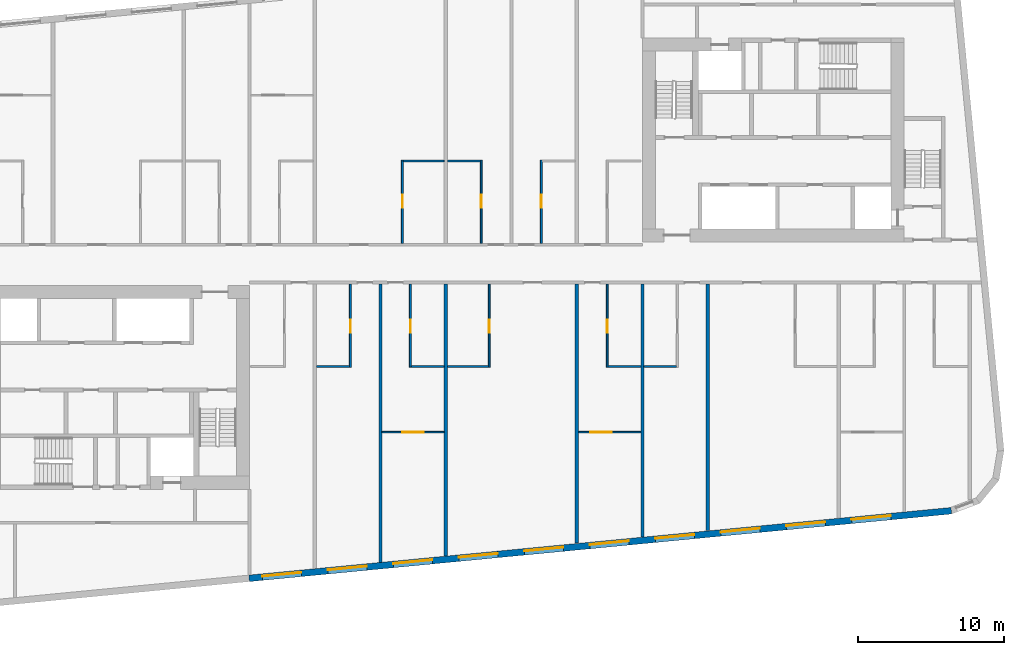
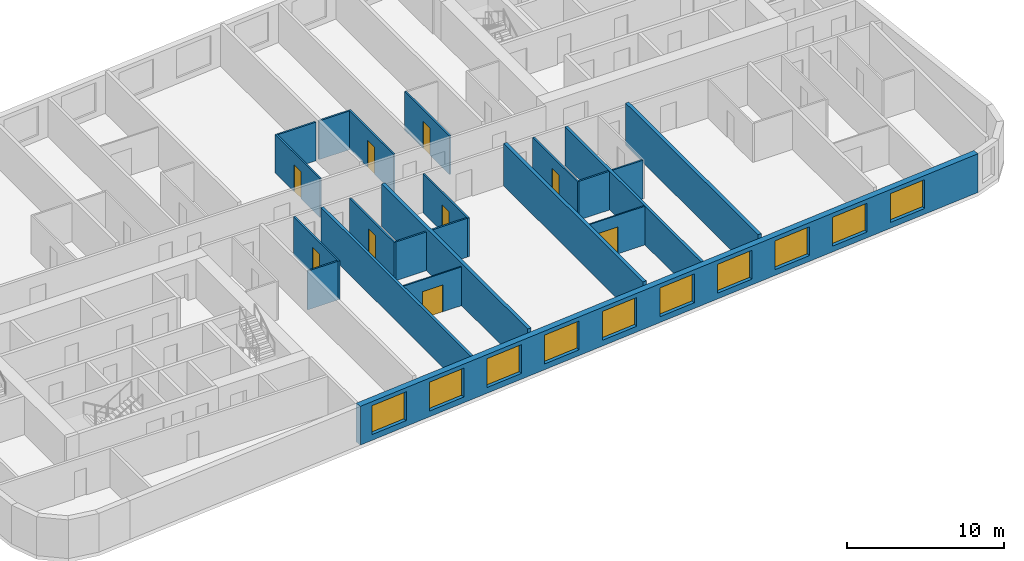
# One storey, part 4 of 12: 22 walls, 10 windows, 9 doors, 19 openings.
"""IFC4 building model written with IfcOpenShell, lengths in metres."""

from ifc_helpers import new_model, si_unit, direction, frame, frame_2d, origin, place, context, subcontext, project, spatial, rectangle, extrude, material, layer, layer_set, type_object, element, fill, save


model = new_model("IFC4")

# Units and contexts
model_context = context("Model", 3, precision=1e-05, world=origin(), true_north=direction((0.0, 1.0)))
body_context = subcontext(model_context, "Body", "Model", "MODEL_VIEW")
ifc_project = project(units=[si_unit("LENGTHUNIT", "METRE"), si_unit("AREAUNIT", "SQUARE_METRE"), si_unit("VOLUMEUNIT", "CUBIC_METRE"), si_unit("PLANEANGLEUNIT", "RADIAN"), si_unit("MASSUNIT", "GRAM", prefix="KILO")], contexts=[model_context])

# Site, building, storey
site_placement = place(None, origin())
site = spatial("IfcSite", under=ifc_project, at=site_placement, CompositionType="ELEMENT")
building_placement = place(site_placement, origin())
building = spatial("IfcBuilding", under=site, at=building_placement, Name="Kajstack Hotel Tower", CompositionType="ELEMENT")
storey_placement = place(building_placement, frame((0.0, 0.0, 294.89990234375)))
storey = spatial("IfcBuildingStorey", under=building, at=storey_placement, Name="L74", CompositionType="ELEMENT", Elevation=294.89990234375)

# Walls
ifc_material_1 = material(Name="Twin-frame gypsum board on steel studs, mineral wool", Category="steel")
ifc_layer_1 = layer(ifc_material_1, 0.199951171875)
ifc_layer_set_1 = layer_set([ifc_layer_1], Name="Demising wall 200")
wall_type_1 = type_object("IfcWallType", Name="Demising wall 200", PredefinedType="PARTITIONING", material=ifc_layer_set_1)
wall_1_placement = place(storey_placement, frame((-4.5, -20.529052734375, 0.0), z_axis=(0.0, 0.0, 1.0), x_axis=(0.0, 1.0, 0.0)))
element("IfcWall", 1, at=wall_1_placement, inside=storey, type_object=wall_type_1, Name="G-wall-L74-033", PredefinedType="PARTITIONING", context=body_context, shape_type="SweptSolid", body=[
    extrude(rectangle(XDim=19.129150390625, YDim=0.199951171875, at=frame_2d((9.564453125, 0.0))), origin(), (0.0, 0.0, 1.0), 3.02001953125),
])
wall_2_placement = place(storey_placement, frame((13.5, -18.7958984375, 0.0), z_axis=(0.0, 0.0, 1.0), x_axis=(0.0, 1.0, 0.0)))
element("IfcWall", 2, at=wall_2_placement, inside=storey, type_object=wall_type_1, Name="G-wall-L74-041", PredefinedType="PARTITIONING", context=body_context, shape_type="SweptSolid", body=[
    extrude(rectangle(XDim=17.39599609375, YDim=0.199951171875, at=frame_2d((8.697998046875, 0.0))), origin(), (0.0, 0.0, 1.0), 3.02001953125),
])

# Wall, openings, windows
ifc_material_2 = material(Name="Terracotta-faced brick masonry", Category="masonry")
ifc_layer_2 = layer(ifc_material_2, 0.449951171875)
ifc_layer_set_2 = layer_set([ifc_layer_2], Name="EW-TERRA")
wall_type_2 = type_object("IfcWallType", Name="EW-TERRA", PredefinedType="SOLIDWALL", material=ifc_layer_set_2)
wall_3_placement = place(storey_placement, frame((-13.521484375, -21.6240234375, 0.0), z_axis=(0.0, 0.0, 1.0), x_axis=(0.995396186218, 0.095845878695, 0.0)))
wall_3 = element("IfcWall", 3, at=wall_3_placement, inside=storey, type_object=wall_type_2, Name="E-wall-L74-04-02", PredefinedType="SOLIDWALL", context=body_context, shape_type="SweptSolid", body=[
    extrude(rectangle(XDim=48.481201171875, YDim=0.449951171875, at=frame_2d((24.24072265625, 0.0))), origin(), (0.0, 0.0, 1.0), 3.02001953125),
])
opening_1_placement = place(wall_3_placement, frame((0.910400390625, 0.0, 0.449951171875)))
opening_1 = element("IfcOpeningElement", 4, at=opening_1_placement, cuts=wall_3, Name="Opening W1", PredefinedType="OPENING", context=body_context, shape_type="SweptSolid", body=[
    extrude(rectangle(XDim=2.699951171875, YDim=2.25, at=frame_2d((1.35009765625, 1.125))), frame((0.0, 0.23486328125, 0.0), z_axis=(0.0, -1.0, 0.0), x_axis=(1.0, 0.0, 0.0)), (0.0, 0.0, 1.0), 0.469970703125),
])
opening_2_placement = place(wall_3_placement, frame((5.43115234375, 0.0, 0.449951171875)))
opening_2 = element("IfcOpeningElement", 5, at=opening_2_placement, cuts=wall_3, Name="Opening W1", PredefinedType="OPENING", context=body_context, shape_type="SweptSolid", body=[
    extrude(rectangle(XDim=2.699951171875, YDim=2.25, at=frame_2d((1.35009765625, 1.125))), frame((0.0, 0.23486328125, 0.0), z_axis=(0.0, -1.0, 0.0), x_axis=(1.0, 0.0, 0.0)), (0.0, 0.0, 1.0), 0.469970703125),
])
opening_3_placement = place(wall_3_placement, frame((9.951904296875, 0.0, 0.449951171875)))
opening_3 = element("IfcOpeningElement", 6, at=opening_3_placement, cuts=wall_3, Name="Opening W1", PredefinedType="OPENING", context=body_context, shape_type="SweptSolid", body=[
    extrude(rectangle(XDim=2.699951171875, YDim=2.25, at=frame_2d((1.35009765625, 1.125))), frame((0.0, 0.23486328125, 0.0), z_axis=(0.0, -1.0, 0.0), x_axis=(1.0, 0.0, 0.0)), (0.0, 0.0, 1.0), 0.469970703125),
])
opening_4_placement = place(wall_3_placement, frame((14.472900390625, 0.0, 0.449951171875)))
opening_4 = element("IfcOpeningElement", 7, at=opening_4_placement, cuts=wall_3, Name="Opening W1", PredefinedType="OPENING", context=body_context, shape_type="SweptSolid", body=[
    extrude(rectangle(XDim=2.699951171875, YDim=2.25, at=frame_2d((1.35009765625, 1.125))), frame((0.0, 0.23486328125, 0.0), z_axis=(0.0, -1.0, 0.0), x_axis=(1.0, 0.0, 0.0)), (0.0, 0.0, 1.0), 0.469970703125),
])
opening_5_placement = place(wall_3_placement, frame((18.99365234375, 0.0, 0.449951171875)))
opening_5 = element("IfcOpeningElement", 8, at=opening_5_placement, cuts=wall_3, Name="Opening W1", PredefinedType="OPENING", context=body_context, shape_type="SweptSolid", body=[
    extrude(rectangle(XDim=2.699951171875, YDim=2.25, at=frame_2d((1.35009765625, 1.125))), frame((0.0, 0.23486328125, 0.0), z_axis=(0.0, -1.0, 0.0), x_axis=(1.0, 0.0, 0.0)), (0.0, 0.0, 1.0), 0.469970703125),
])
opening_6_placement = place(wall_3_placement, frame((23.514404296875, 0.0, 0.449951171875)))
opening_6 = element("IfcOpeningElement", 9, at=opening_6_placement, cuts=wall_3, Name="Opening W1", PredefinedType="OPENING", context=body_context, shape_type="SweptSolid", body=[
    extrude(rectangle(XDim=2.699951171875, YDim=2.25, at=frame_2d((1.35009765625, 1.125))), frame((0.0, 0.23486328125, 0.0), z_axis=(0.0, -1.0, 0.0), x_axis=(1.0, 0.0, 0.0)), (0.0, 0.0, 1.0), 0.469970703125),
])
opening_7_placement = place(wall_3_placement, frame((28.03515625, 0.0, 0.449951171875)))
opening_7 = element("IfcOpeningElement", 10, at=opening_7_placement, cuts=wall_3, Name="Opening W1", PredefinedType="OPENING", context=body_context, shape_type="SweptSolid", body=[
    extrude(rectangle(XDim=2.699951171875, YDim=2.25, at=frame_2d((1.35009765625, 1.125))), frame((0.0, 0.23486328125, 0.0), z_axis=(0.0, -1.0, 0.0), x_axis=(1.0, 0.0, 0.0)), (0.0, 0.0, 1.0), 0.469970703125),
])
opening_8_placement = place(wall_3_placement, frame((32.55615234375, 0.0, 0.449951171875)))
opening_8 = element("IfcOpeningElement", 11, at=opening_8_placement, cuts=wall_3, Name="Opening W1", PredefinedType="OPENING", context=body_context, shape_type="SweptSolid", body=[
    extrude(rectangle(XDim=2.699951171875, YDim=2.25, at=frame_2d((1.35009765625, 1.125))), frame((0.0, 0.23486328125, 0.0), z_axis=(0.0, -1.0, 0.0), x_axis=(1.0, 0.0, 0.0)), (0.0, 0.0, 1.0), 0.469970703125),
])
opening_9_placement = place(wall_3_placement, frame((37.076904296875, 0.0, 0.449951171875)))
opening_9 = element("IfcOpeningElement", 12, at=opening_9_placement, cuts=wall_3, Name="Opening W1", PredefinedType="OPENING", context=body_context, shape_type="SweptSolid", body=[
    extrude(rectangle(XDim=2.699951171875, YDim=2.25, at=frame_2d((1.35009765625, 1.125))), frame((0.0, 0.23486328125, 0.0), z_axis=(0.0, -1.0, 0.0), x_axis=(1.0, 0.0, 0.0)), (0.0, 0.0, 1.0), 0.469970703125),
])
opening_10_placement = place(wall_3_placement, frame((41.59765625, 0.0, 0.449951171875)))
opening_10 = element("IfcOpeningElement", 13, at=opening_10_placement, cuts=wall_3, Name="Opening W1", PredefinedType="OPENING", context=body_context, shape_type="SweptSolid", body=[
    extrude(rectangle(XDim=2.699951171875, YDim=2.25, at=frame_2d((1.35009765625, 1.125))), frame((0.0, 0.23486328125, 0.0), z_axis=(0.0, -1.0, 0.0), x_axis=(1.0, 0.0, 0.0)), (0.0, 0.0, 1.0), 0.469970703125),
])
ifc_material_3 = material(Name="Timber-aluminium window, triple glazed", Category="wood")
window_type = type_object("IfcWindowType", Name="WG1", PartitioningType="SINGLE_PANEL", PredefinedType="WINDOW", material=ifc_material_3)
window_1_placement = place(opening_1_placement, origin())
window_1 = element("IfcWindow", 14, at=window_1_placement, inside=storey, type_object=window_type, Name="Window W1 L74-04", OverallHeight=2.25, OverallWidth=2.699951171875, PartitioningType="SINGLE_PANEL", PredefinedType="WINDOW", context=body_context, shape_type="SweptSolid", body=[
    extrude(rectangle(XDim=2.699951171875, YDim=2.25, at=frame_2d((1.35009765625, 1.125))), frame((0.0, 0.090087890625, 0.0), z_axis=(0.0, -1.0, 0.0), x_axis=(1.0, 0.0, 0.0)), (0.0, 0.0, 1.0), 0.06005859375),
])
fill(opening_1, window_1)
window_2_placement = place(opening_2_placement, origin())
window_2 = element("IfcWindow", 15, at=window_2_placement, inside=storey, type_object=window_type, Name="Window W1 L74-04", OverallHeight=2.25, OverallWidth=2.699951171875, PartitioningType="SINGLE_PANEL", PredefinedType="WINDOW", context=body_context, shape_type="SweptSolid", body=[
    extrude(rectangle(XDim=2.699951171875, YDim=2.25, at=frame_2d((1.35009765625, 1.125))), frame((0.0, 0.090087890625, 0.0), z_axis=(0.0, -1.0, 0.0), x_axis=(1.0, 0.0, 0.0)), (0.0, 0.0, 1.0), 0.06005859375),
])
fill(opening_2, window_2)
window_3_placement = place(opening_3_placement, origin())
window_3 = element("IfcWindow", 16, at=window_3_placement, inside=storey, type_object=window_type, Name="Window W1 L74-04", OverallHeight=2.25, OverallWidth=2.699951171875, PartitioningType="SINGLE_PANEL", PredefinedType="WINDOW", context=body_context, shape_type="SweptSolid", body=[
    extrude(rectangle(XDim=2.699951171875, YDim=2.25, at=frame_2d((1.35009765625, 1.125))), frame((0.0, 0.090087890625, 0.0), z_axis=(0.0, -1.0, 0.0), x_axis=(1.0, 0.0, 0.0)), (0.0, 0.0, 1.0), 0.06005859375),
])
fill(opening_3, window_3)
window_4_placement = place(opening_4_placement, origin())
window_4 = element("IfcWindow", 17, at=window_4_placement, inside=storey, type_object=window_type, Name="Window W1 L74-04", OverallHeight=2.25, OverallWidth=2.699951171875, PartitioningType="SINGLE_PANEL", PredefinedType="WINDOW", context=body_context, shape_type="SweptSolid", body=[
    extrude(rectangle(XDim=2.699951171875, YDim=2.25, at=frame_2d((1.35009765625, 1.125))), frame((0.0, 0.090087890625, 0.0), z_axis=(0.0, -1.0, 0.0), x_axis=(1.0, 0.0, 0.0)), (0.0, 0.0, 1.0), 0.06005859375),
])
fill(opening_4, window_4)
window_5_placement = place(opening_5_placement, origin())
window_5 = element("IfcWindow", 18, at=window_5_placement, inside=storey, type_object=window_type, Name="Window W1 L74-04", OverallHeight=2.25, OverallWidth=2.699951171875, PartitioningType="SINGLE_PANEL", PredefinedType="WINDOW", context=body_context, shape_type="SweptSolid", body=[
    extrude(rectangle(XDim=2.699951171875, YDim=2.25, at=frame_2d((1.35009765625, 1.125))), frame((0.0, 0.090087890625, 0.0), z_axis=(0.0, -1.0, 0.0), x_axis=(1.0, 0.0, 0.0)), (0.0, 0.0, 1.0), 0.06005859375),
])
fill(opening_5, window_5)
window_6_placement = place(opening_6_placement, origin())
window_6 = element("IfcWindow", 19, at=window_6_placement, inside=storey, type_object=window_type, Name="Window W1 L74-04", OverallHeight=2.25, OverallWidth=2.699951171875, PartitioningType="SINGLE_PANEL", PredefinedType="WINDOW", context=body_context, shape_type="SweptSolid", body=[
    extrude(rectangle(XDim=2.699951171875, YDim=2.25, at=frame_2d((1.35009765625, 1.125))), frame((0.0, 0.090087890625, 0.0), z_axis=(0.0, -1.0, 0.0), x_axis=(1.0, 0.0, 0.0)), (0.0, 0.0, 1.0), 0.06005859375),
])
fill(opening_6, window_6)
window_7_placement = place(opening_7_placement, origin())
window_7 = element("IfcWindow", 20, at=window_7_placement, inside=storey, type_object=window_type, Name="Window W1 L74-04", OverallHeight=2.25, OverallWidth=2.699951171875, PartitioningType="SINGLE_PANEL", PredefinedType="WINDOW", context=body_context, shape_type="SweptSolid", body=[
    extrude(rectangle(XDim=2.699951171875, YDim=2.25, at=frame_2d((1.35009765625, 1.125))), frame((0.0, 0.090087890625, 0.0), z_axis=(0.0, -1.0, 0.0), x_axis=(1.0, 0.0, 0.0)), (0.0, 0.0, 1.0), 0.06005859375),
])
fill(opening_7, window_7)
window_8_placement = place(opening_8_placement, origin())
window_8 = element("IfcWindow", 21, at=window_8_placement, inside=storey, type_object=window_type, Name="Window W1 L74-04", OverallHeight=2.25, OverallWidth=2.699951171875, PartitioningType="SINGLE_PANEL", PredefinedType="WINDOW", context=body_context, shape_type="SweptSolid", body=[
    extrude(rectangle(XDim=2.699951171875, YDim=2.25, at=frame_2d((1.35009765625, 1.125))), frame((0.0, 0.090087890625, 0.0), z_axis=(0.0, -1.0, 0.0), x_axis=(1.0, 0.0, 0.0)), (0.0, 0.0, 1.0), 0.06005859375),
])
fill(opening_8, window_8)
window_9_placement = place(opening_9_placement, origin())
window_9 = element("IfcWindow", 22, at=window_9_placement, inside=storey, type_object=window_type, Name="Window W1 L74-04", OverallHeight=2.25, OverallWidth=2.699951171875, PartitioningType="SINGLE_PANEL", PredefinedType="WINDOW", context=body_context, shape_type="SweptSolid", body=[
    extrude(rectangle(XDim=2.699951171875, YDim=2.25, at=frame_2d((1.35009765625, 1.125))), frame((0.0, 0.090087890625, 0.0), z_axis=(0.0, -1.0, 0.0), x_axis=(1.0, 0.0, 0.0)), (0.0, 0.0, 1.0), 0.06005859375),
])
fill(opening_9, window_9)
window_10_placement = place(opening_10_placement, origin())
window_10 = element("IfcWindow", 23, at=window_10_placement, inside=storey, type_object=window_type, Name="Window W1 L74-04", OverallHeight=2.25, OverallWidth=2.699951171875, PartitioningType="SINGLE_PANEL", PredefinedType="WINDOW", context=body_context, shape_type="SweptSolid", body=[
    extrude(rectangle(XDim=2.699951171875, YDim=2.25, at=frame_2d((1.35009765625, 1.125))), frame((0.0, 0.090087890625, 0.0), z_axis=(0.0, -1.0, 0.0), x_axis=(1.0, 0.0, 0.0)), (0.0, 0.0, 1.0), 0.06005859375),
])
fill(opening_10, window_10)

# Wall, opening, door
ifc_material_4 = material(Name="Gypsum board and tiled backer on steel studs", Category="steel")
ifc_layer_3 = layer(ifc_material_4, 0.125)
ifc_layer_set_3 = layer_set([ifc_layer_3], Name="En-suite wall 125")
wall_type_3 = type_object("IfcWallType", Name="En-suite wall 125", PredefinedType="PARTITIONING", material=ifc_layer_set_3)
wall_4_placement = place(storey_placement, frame((-2.987060546875, 1.39990234375, 0.0), z_axis=(0.0, 0.0, 1.0), x_axis=(0.0, 1.0, 0.0)))
wall_4 = element("IfcWall", 24, at=wall_4_placement, inside=storey, type_object=wall_type_3, Name="G-wall-L74-021", PredefinedType="PARTITIONING", context=body_context, shape_type="SweptSolid", body=[
    extrude(rectangle(XDim=5.72509765625, YDim=0.125, at=frame_2d((2.862548828125, 0.0))), origin(), (0.0, 0.0, 1.0), 3.02001953125),
])
opening_11_placement = place(wall_4_placement, frame((2.449951171875, 0.0, 0.0)))
opening_11 = element("IfcOpeningElement", 25, at=opening_11_placement, cuts=wall_4, Name="Opening 74017", PredefinedType="OPENING", context=body_context, shape_type="SweptSolid", body=[
    extrude(rectangle(XDim=0.89990234375, YDim=2.10009765625, at=frame_2d((0.449951171875, 1.050048828125))), frame((0.0, 0.072509765625, 0.0), z_axis=(0.0, -1.0, 0.0), x_axis=(1.0, 0.0, 0.0)), (0.0, 0.0, 1.0), 0.14501953125),
])
ifc_material_5 = material(Name="Painted timber door leaf", Category="wood")
door_type_1 = type_object("IfcDoorType", Name="Room door 900", OperationType="SINGLE_SWING_LEFT", PredefinedType="DOOR", material=ifc_material_5)
door_1_placement = place(opening_11_placement, origin())
door_1 = element("IfcDoor", 26, at=door_1_placement, inside=storey, type_object=door_type_1, Name="G-door-L74-17", OperationType="SINGLE_SWING_LEFT", OverallHeight=2.10009765625, OverallWidth=0.89990234375, PredefinedType="DOOR", context=body_context, shape_type="SweptSolid", body=[
    extrude(rectangle(XDim=0.89990234375, YDim=2.10009765625, at=frame_2d((0.449951171875, 1.050048828125))), frame((0.0, 0.02490234375, 0.0), z_axis=(0.0, -1.0, 0.0), x_axis=(1.0, 0.0, 0.0)), (0.0, 0.0, 1.0), 0.050048828125),
])
fill(opening_11, door_1)

# Wall
wall_5_placement = place(storey_placement, frame((-2.925048828125, 7.06201171875, 0.0), z_axis=(0.0, 0.0, 1.0), x_axis=(1.0, 0.0, 0.0)))
element("IfcWall", 27, at=wall_5_placement, inside=storey, type_object=wall_type_3, Name="G-wall-L74-022", PredefinedType="PARTITIONING", context=body_context, shape_type="SweptSolid", body=[
    extrude(rectangle(XDim=2.800048828125, YDim=0.125, at=frame_2d((1.39990234375, 0.0))), origin(), (0.0, 0.0, 1.0), 3.02001953125),
])

# Wall, opening, door
wall_6_placement = place(storey_placement, frame((2.43798828125, 1.39990234375, 0.0), z_axis=(0.0, 0.0, 1.0), x_axis=(0.0, 1.0, 0.0)))
wall_6 = element("IfcWall", 28, at=wall_6_placement, inside=storey, type_object=wall_type_3, Name="G-wall-L74-024", PredefinedType="PARTITIONING", context=body_context, shape_type="SweptSolid", body=[
    extrude(rectangle(XDim=5.72509765625, YDim=0.125, at=frame_2d((2.862548828125, 0.0))), origin(), (0.0, 0.0, 1.0), 3.02001953125),
])
opening_12_placement = place(wall_6_placement, frame((2.449951171875, 0.0, 0.0)))
opening_12 = element("IfcOpeningElement", 29, at=opening_12_placement, cuts=wall_6, Name="Opening 74019", PredefinedType="OPENING", context=body_context, shape_type="SweptSolid", body=[
    extrude(rectangle(XDim=0.89990234375, YDim=2.10009765625, at=frame_2d((0.449951171875, 1.050048828125))), frame((0.0, 0.072509765625, 0.0), z_axis=(0.0, -1.0, 0.0), x_axis=(1.0, 0.0, 0.0)), (0.0, 0.0, 1.0), 0.14501953125),
])
door_2_placement = place(opening_12_placement, origin())
door_2 = element("IfcDoor", 30, at=door_2_placement, inside=storey, type_object=door_type_1, Name="G-door-L74-19", OperationType="SINGLE_SWING_RIGHT", OverallHeight=2.10009765625, OverallWidth=0.89990234375, PredefinedType="DOOR", context=body_context, shape_type="SweptSolid", body=[
    extrude(rectangle(XDim=0.89990234375, YDim=2.10009765625, at=frame_2d((0.449951171875, 1.050048828125))), frame((0.0, 0.02490234375, 0.0), z_axis=(0.0, -1.0, 0.0), x_axis=(1.0, 0.0, 0.0)), (0.0, 0.0, 1.0), 0.050048828125),
])
fill(opening_12, door_2)

# Wall
wall_7_placement = place(storey_placement, frame((0.125, 7.06201171875, 0.0), z_axis=(0.0, 0.0, 1.0), x_axis=(1.0, 0.0, 0.0)))
element("IfcWall", 31, at=wall_7_placement, inside=storey, type_object=wall_type_3, Name="G-wall-L74-025", PredefinedType="PARTITIONING", context=body_context, shape_type="SweptSolid", body=[
    extrude(rectangle(XDim=2.25, YDim=0.125, at=frame_2d((1.125, 0.0))), origin(), (0.0, 0.0, 1.0), 3.02001953125),
])

# Wall, opening, door
wall_8_placement = place(storey_placement, frame((6.56201171875, 1.39990234375, 0.0), z_axis=(0.0, 0.0, 1.0), x_axis=(0.0, 1.0, 0.0)))
wall_8 = element("IfcWall", 32, at=wall_8_placement, inside=storey, type_object=wall_type_3, Name="G-wall-L74-026", PredefinedType="PARTITIONING", context=body_context, shape_type="SweptSolid", body=[
    extrude(rectangle(XDim=5.72509765625, YDim=0.125, at=frame_2d((2.862548828125, 0.0))), origin(), (0.0, 0.0, 1.0), 3.02001953125),
])
opening_13_placement = place(wall_8_placement, frame((2.449951171875, 0.0, 0.0)))
opening_13 = element("IfcOpeningElement", 33, at=opening_13_placement, cuts=wall_8, Name="Opening 74021", PredefinedType="OPENING", context=body_context, shape_type="SweptSolid", body=[
    extrude(rectangle(XDim=0.89990234375, YDim=2.10009765625, at=frame_2d((0.449951171875, 1.050048828125))), frame((0.0, 0.072509765625, 0.0), z_axis=(0.0, -1.0, 0.0), x_axis=(1.0, 0.0, 0.0)), (0.0, 0.0, 1.0), 0.14501953125),
])
door_3_placement = place(opening_13_placement, origin())
door_3 = element("IfcDoor", 34, at=door_3_placement, inside=storey, type_object=door_type_1, Name="G-door-L74-21", OperationType="SINGLE_SWING_LEFT", OverallHeight=2.10009765625, OverallWidth=0.89990234375, PredefinedType="DOOR", context=body_context, shape_type="SweptSolid", body=[
    extrude(rectangle(XDim=0.89990234375, YDim=2.10009765625, at=frame_2d((0.449951171875, 1.050048828125))), frame((0.0, 0.02490234375, 0.0), z_axis=(0.0, -1.0, 0.0), x_axis=(1.0, 0.0, 0.0)), (0.0, 0.0, 1.0), 0.050048828125),
])
fill(opening_13, door_3)

wall_9_placement = place(storey_placement, frame((-6.56201171875, -7.125, 0.0), z_axis=(0.0, 0.0, 1.0), x_axis=(0.0, 1.0, 0.0)))
wall_9 = element("IfcWall", 35, at=wall_9_placement, inside=storey, type_object=wall_type_3, Name="G-wall-L74-034", PredefinedType="PARTITIONING", context=body_context, shape_type="SweptSolid", body=[
    extrude(rectangle(XDim=5.72509765625, YDim=0.125, at=frame_2d((2.862548828125, 0.0))), origin(), (0.0, 0.0, 1.0), 3.02001953125),
])
opening_14_placement = place(wall_9_placement, frame((2.375, 0.0, 0.0)))
opening_14 = element("IfcOpeningElement", 36, at=opening_14_placement, cuts=wall_9, Name="Opening 74027", PredefinedType="OPENING", context=body_context, shape_type="SweptSolid", body=[
    extrude(rectangle(XDim=0.89990234375, YDim=2.10009765625, at=frame_2d((0.449951171875, 1.050048828125))), frame((0.0, 0.072509765625, 0.0), z_axis=(0.0, -1.0, 0.0), x_axis=(1.0, 0.0, 0.0)), (0.0, 0.0, 1.0), 0.14501953125),
])
door_4_placement = place(opening_14_placement, origin())
door_4 = element("IfcDoor", 37, at=door_4_placement, inside=storey, type_object=door_type_1, Name="G-door-L74-27", OperationType="SINGLE_SWING_RIGHT", OverallHeight=2.10009765625, OverallWidth=0.89990234375, PredefinedType="DOOR", context=body_context, shape_type="SweptSolid", body=[
    extrude(rectangle(XDim=0.89990234375, YDim=2.10009765625, at=frame_2d((0.449951171875, 1.050048828125))), frame((0.0, 0.02490234375, 0.0), z_axis=(0.0, -1.0, 0.0), x_axis=(1.0, 0.0, 0.0)), (0.0, 0.0, 1.0), 0.050048828125),
])
fill(opening_14, door_4)

# Wall
wall_10_placement = place(storey_placement, frame((-8.875, -7.06201171875, 0.0), z_axis=(0.0, 0.0, 1.0), x_axis=(1.0, 0.0, 0.0)))
element("IfcWall", 38, at=wall_10_placement, inside=storey, type_object=wall_type_3, Name="G-wall-L74-035", PredefinedType="PARTITIONING", context=body_context, shape_type="SweptSolid", body=[
    extrude(rectangle(XDim=2.25, YDim=0.125, at=frame_2d((1.125, 0.0))), origin(), (0.0, 0.0, 1.0), 3.02001953125),
])

# Wall, opening, door
wall_11_placement = place(storey_placement, frame((-2.43798828125, -7.125, 0.0), z_axis=(0.0, 0.0, 1.0), x_axis=(0.0, 1.0, 0.0)))
wall_11 = element("IfcWall", 39, at=wall_11_placement, inside=storey, type_object=wall_type_3, Name="G-wall-L74-036", PredefinedType="PARTITIONING", context=body_context, shape_type="SweptSolid", body=[
    extrude(rectangle(XDim=5.72509765625, YDim=0.125, at=frame_2d((2.862548828125, 0.0))), origin(), (0.0, 0.0, 1.0), 3.02001953125),
])
opening_15_placement = place(wall_11_placement, frame((2.375, 0.0, 0.0)))
opening_15 = element("IfcOpeningElement", 40, at=opening_15_placement, cuts=wall_11, Name="Opening 74029", PredefinedType="OPENING", context=body_context, shape_type="SweptSolid", body=[
    extrude(rectangle(XDim=0.89990234375, YDim=2.10009765625, at=frame_2d((0.449951171875, 1.050048828125))), frame((0.0, 0.072509765625, 0.0), z_axis=(0.0, -1.0, 0.0), x_axis=(1.0, 0.0, 0.0)), (0.0, 0.0, 1.0), 0.14501953125),
])
door_5_placement = place(opening_15_placement, origin())
door_5 = element("IfcDoor", 41, at=door_5_placement, inside=storey, type_object=door_type_1, Name="G-door-L74-29", OperationType="SINGLE_SWING_RIGHT", OverallHeight=2.10009765625, OverallWidth=0.89990234375, PredefinedType="DOOR", context=body_context, shape_type="SweptSolid", body=[
    extrude(rectangle(XDim=0.89990234375, YDim=2.10009765625, at=frame_2d((0.449951171875, 1.050048828125))), frame((0.0, 0.02490234375, 0.0), z_axis=(0.0, -1.0, 0.0), x_axis=(1.0, 0.0, 0.0)), (0.0, 0.0, 1.0), 0.050048828125),
])
fill(opening_15, door_5)

# Wall
wall_12_placement = place(storey_placement, frame((-2.375, -7.06201171875, 0.0), z_axis=(0.0, 0.0, 1.0), x_axis=(1.0, 0.0, 0.0)))
element("IfcWall", 42, at=wall_12_placement, inside=storey, type_object=wall_type_3, Name="G-wall-L74-037", PredefinedType="PARTITIONING", context=body_context, shape_type="SweptSolid", body=[
    extrude(rectangle(XDim=2.25, YDim=0.125, at=frame_2d((1.125, 0.0))), origin(), (0.0, 0.0, 1.0), 3.02001953125),
])

# Wall, opening, door
wall_13_placement = place(storey_placement, frame((2.987060546875, -7.125, 0.0), z_axis=(0.0, 0.0, 1.0), x_axis=(0.0, 1.0, 0.0)))
wall_13 = element("IfcWall", 43, at=wall_13_placement, inside=storey, type_object=wall_type_3, Name="G-wall-L74-039", PredefinedType="PARTITIONING", context=body_context, shape_type="SweptSolid", body=[
    extrude(rectangle(XDim=5.72509765625, YDim=0.125, at=frame_2d((2.862548828125, 0.0))), origin(), (0.0, 0.0, 1.0), 3.02001953125),
])
opening_16_placement = place(wall_13_placement, frame((2.375, 0.0, 0.0)))
opening_16 = element("IfcOpeningElement", 44, at=opening_16_placement, cuts=wall_13, Name="Opening 74032", PredefinedType="OPENING", context=body_context, shape_type="SweptSolid", body=[
    extrude(rectangle(XDim=0.89990234375, YDim=2.10009765625, at=frame_2d((0.449951171875, 1.050048828125))), frame((0.0, 0.072509765625, 0.0), z_axis=(0.0, -1.0, 0.0), x_axis=(1.0, 0.0, 0.0)), (0.0, 0.0, 1.0), 0.14501953125),
])
door_6_placement = place(opening_16_placement, origin())
door_6 = element("IfcDoor", 45, at=door_6_placement, inside=storey, type_object=door_type_1, Name="G-door-L74-32", OperationType="SINGLE_SWING_LEFT", OverallHeight=2.10009765625, OverallWidth=0.89990234375, PredefinedType="DOOR", context=body_context, shape_type="SweptSolid", body=[
    extrude(rectangle(XDim=0.89990234375, YDim=2.10009765625, at=frame_2d((0.449951171875, 1.050048828125))), frame((0.0, 0.02490234375, 0.0), z_axis=(0.0, -1.0, 0.0), x_axis=(1.0, 0.0, 0.0)), (0.0, 0.0, 1.0), 0.050048828125),
])
fill(opening_16, door_6)

# Wall
wall_14_placement = place(storey_placement, frame((0.125, -7.06201171875, 0.0), z_axis=(0.0, 0.0, 1.0), x_axis=(1.0, 0.0, 0.0)))
element("IfcWall", 46, at=wall_14_placement, inside=storey, type_object=wall_type_3, Name="G-wall-L74-040", PredefinedType="PARTITIONING", context=body_context, shape_type="SweptSolid", body=[
    extrude(rectangle(XDim=2.800048828125, YDim=0.125, at=frame_2d((1.39990234375, 0.0))), origin(), (0.0, 0.0, 1.0), 3.02001953125),
])

# Wall, opening, door
wall_15_placement = place(storey_placement, frame((11.087890625, -7.125, 0.0), z_axis=(0.0, 0.0, 1.0), x_axis=(0.0, 1.0, 0.0)))
wall_15 = element("IfcWall", 47, at=wall_15_placement, inside=storey, type_object=wall_type_3, Name="G-wall-L74-042", PredefinedType="PARTITIONING", context=body_context, shape_type="SweptSolid", body=[
    extrude(rectangle(XDim=5.72509765625, YDim=0.125, at=frame_2d((2.862548828125, 0.0))), origin(), (0.0, 0.0, 1.0), 3.02001953125),
])
opening_17_placement = place(wall_15_placement, frame((2.375, 0.0, 0.0)))
opening_17 = element("IfcOpeningElement", 48, at=opening_17_placement, cuts=wall_15, Name="Opening 74034", PredefinedType="OPENING", context=body_context, shape_type="SweptSolid", body=[
    extrude(rectangle(XDim=0.89990234375, YDim=2.10009765625, at=frame_2d((0.449951171875, 1.050048828125))), frame((0.0, 0.072509765625, 0.0), z_axis=(0.0, -1.0, 0.0), x_axis=(1.0, 0.0, 0.0)), (0.0, 0.0, 1.0), 0.14501953125),
])
door_7_placement = place(opening_17_placement, origin())
door_7 = element("IfcDoor", 49, at=door_7_placement, inside=storey, type_object=door_type_1, Name="G-door-L74-34", OperationType="SINGLE_SWING_LEFT", OverallHeight=2.10009765625, OverallWidth=0.89990234375, PredefinedType="DOOR", context=body_context, shape_type="SweptSolid", body=[
    extrude(rectangle(XDim=0.89990234375, YDim=2.10009765625, at=frame_2d((0.449951171875, 1.050048828125))), frame((0.0, 0.02490234375, 0.0), z_axis=(0.0, -1.0, 0.0), x_axis=(1.0, 0.0, 0.0)), (0.0, 0.0, 1.0), 0.050048828125),
])
fill(opening_17, door_7)

# Walls
for number, where, z_axis, x_axis, name in (
    (50, (11.14990234375, -7.06201171875, 0.0), (0.0, 0.0, 1.0), (1.0, 0.0, 0.0), "G-wall-L74-043"),
    (51, (13.60009765625, -7.06201171875, 0.0), (0.0, 0.0, 1.0), (1.0, 0.0, 0.0), "G-wall-L74-046"),
):
    element("IfcWall", number, at=place(storey_placement, frame(where, z_axis=z_axis, x_axis=x_axis)), inside=storey, type_object=wall_type_3, Name=name, PredefinedType="PARTITIONING", context=body_context, shape_type="SweptSolid", body=[
        extrude(rectangle(XDim=2.25, YDim=0.125, at=frame_2d((1.125, 0.0))), origin(), (0.0, 0.0, 1.0), 3.02001953125),
    ])

# Wall, opening, door
ifc_material_6 = material(Name="Gypsum board on steel studs", Category="steel")
ifc_layer_4 = layer(ifc_material_6, 0.10009765625)
ifc_layer_set_4 = layer_set([ifc_layer_4], Name="Partition 100")
wall_type_4 = type_object("IfcWallType", Name="Partition 100", PredefinedType="PARTITIONING", material=ifc_layer_set_4)
wall_16_placement = place(storey_placement, frame((-4.39990234375, -11.574951171875, 0.0), z_axis=(0.0, 0.0, 1.0), x_axis=(1.0, 0.0, 0.0)))
wall_16 = element("IfcWall", 52, at=wall_16_placement, inside=storey, type_object=wall_type_4, Name="G-wall-L74-038", PredefinedType="PARTITIONING", context=body_context, shape_type="SweptSolid", body=[
    extrude(rectangle(XDim=4.27490234375, YDim=0.10009765625, at=frame_2d((2.137451171875, 0.0))), origin(), (0.0, 0.0, 1.0), 3.02001953125),
])
opening_18_placement = place(wall_16_placement, frame((1.387939453125, 0.0, 0.0)))
opening_18 = element("IfcOpeningElement", 53, at=opening_18_placement, cuts=wall_16, Name="Opening 74030", PredefinedType="OPENING", context=body_context, shape_type="SweptSolid", body=[
    extrude(rectangle(XDim=1.5, YDim=2.10009765625, at=frame_2d((0.75, 1.050048828125))), frame((0.0, 0.06005859375, 0.0), z_axis=(0.0, -1.0, 0.0), x_axis=(1.0, 0.0, 0.0)), (0.0, 0.0, 1.0), 0.1201171875),
])
ifc_material_7 = material(Name="Painted timber door leaves, glazed panels", Category="wood")
door_type_2 = type_object("IfcDoorType", Name="Double door 1500", OperationType="SINGLE_SWING_LEFT", PredefinedType="DOOR", material=ifc_material_7)
door_8_placement = place(opening_18_placement, origin())
door_8 = element("IfcDoor", 54, at=door_8_placement, inside=storey, type_object=door_type_2, Name="G-door-L74-30", OperationType="SINGLE_SWING_RIGHT", OverallHeight=2.10009765625, OverallWidth=1.5, PredefinedType="DOOR", context=body_context, shape_type="SweptSolid", body=[
    extrude(rectangle(XDim=1.5, YDim=2.10009765625, at=frame_2d((0.75, 1.050048828125))), frame((0.0, 0.02490234375, 0.0), z_axis=(0.0, -1.0, 0.0), x_axis=(1.0, 0.0, 0.0)), (0.0, 0.0, 1.0), 0.050048828125),
])
fill(opening_18, door_8)

wall_17_placement = place(storey_placement, frame((9.125, -11.574951171875, 0.0), z_axis=(0.0, 0.0, 1.0), x_axis=(1.0, 0.0, 0.0)))
wall_17 = element("IfcWall", 55, at=wall_17_placement, inside=storey, type_object=wall_type_4, Name="G-wall-L74-044", PredefinedType="PARTITIONING", context=body_context, shape_type="SweptSolid", body=[
    extrude(rectangle(XDim=4.27490234375, YDim=0.10009765625, at=frame_2d((2.137451171875, 0.0))), origin(), (0.0, 0.0, 1.0), 3.02001953125),
])
opening_19_placement = place(wall_17_placement, frame((0.787109375, 0.0, 0.0)))
opening_19 = element("IfcOpeningElement", 56, at=opening_19_placement, cuts=wall_17, Name="Opening 74035", PredefinedType="OPENING", context=body_context, shape_type="SweptSolid", body=[
    extrude(rectangle(XDim=1.5, YDim=2.10009765625, at=frame_2d((0.75, 1.050048828125))), frame((0.0, 0.06005859375, 0.0), z_axis=(0.0, -1.0, 0.0), x_axis=(1.0, 0.0, 0.0)), (0.0, 0.0, 1.0), 0.1201171875),
])
door_9_placement = place(opening_19_placement, origin())
door_9 = element("IfcDoor", 57, at=door_9_placement, inside=storey, type_object=door_type_2, Name="G-door-L74-35", OperationType="SINGLE_SWING_RIGHT", OverallHeight=2.10009765625, OverallWidth=1.5, PredefinedType="DOOR", context=body_context, shape_type="SweptSolid", body=[
    extrude(rectangle(XDim=1.5, YDim=2.10009765625, at=frame_2d((0.75, 1.050048828125))), frame((0.0, 0.02490234375, 0.0), z_axis=(0.0, -1.0, 0.0), x_axis=(1.0, 0.0, 0.0)), (0.0, 0.0, 1.0), 0.050048828125),
])
fill(opening_19, door_9)

# Walls
ifc_material_8 = material(Name="Concrete C40/50", Category="concrete")
ifc_layer_5 = layer(ifc_material_8, 0.25)
ifc_layer_set_5 = layer_set([ifc_layer_5], Name="RC cross wall 250 C40/50")
wall_type_5 = type_object("IfcWallType", Name="RC cross wall 250 C40/50", PredefinedType="SHEAR", material=ifc_layer_set_5)
wall_18_placement = place(storey_placement, frame((0.0, -20.073974609375, 0.0), z_axis=(0.0, 0.0, 1.0), x_axis=(0.0, 1.0, 0.0)))
element("IfcWall", 58, at=wall_18_placement, inside=storey, type_object=wall_type_5, Name="S-wall-L74-06", PredefinedType="SHEAR", context=body_context, shape_type="SweptSolid", body=[
    extrude(rectangle(XDim=18.674072265625, YDim=0.25, at=frame_2d((9.3369140625, 0.0))), origin(), (0.0, 0.0, 1.0), 3.300048828125),
])
wall_19_placement = place(storey_placement, frame((9.0, -19.207275390625, 0.0), z_axis=(0.0, 0.0, 1.0), x_axis=(0.0, 1.0, 0.0)))
element("IfcWall", 59, at=wall_19_placement, inside=storey, type_object=wall_type_5, Name="S-wall-L74-08", PredefinedType="SHEAR", context=body_context, shape_type="SweptSolid", body=[
    extrude(rectangle(XDim=17.807373046875, YDim=0.25, at=frame_2d((8.90380859375, 0.0))), origin(), (0.0, 0.0, 1.0), 3.300048828125),
])
wall_20_placement = place(storey_placement, frame((18.0, -18.3408203125, 0.0), z_axis=(0.0, 0.0, 1.0), x_axis=(0.0, 1.0, 0.0)))
element("IfcWall", 60, at=wall_20_placement, inside=storey, type_object=wall_type_5, Name="S-wall-L74-10", PredefinedType="SHEAR", context=body_context, shape_type="SweptSolid", body=[
    extrude(rectangle(XDim=16.94091796875, YDim=0.25, at=frame_2d((8.470458984375, 0.0))), origin(), (0.0, 0.0, 1.0), 3.300048828125),
])

save(model, "model.ifc")
